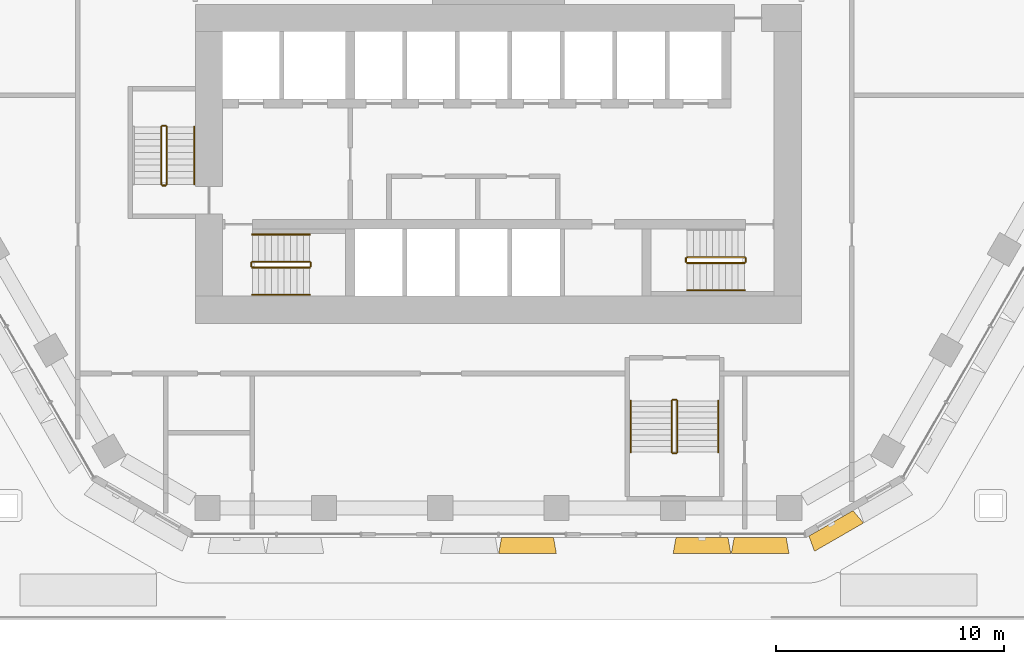
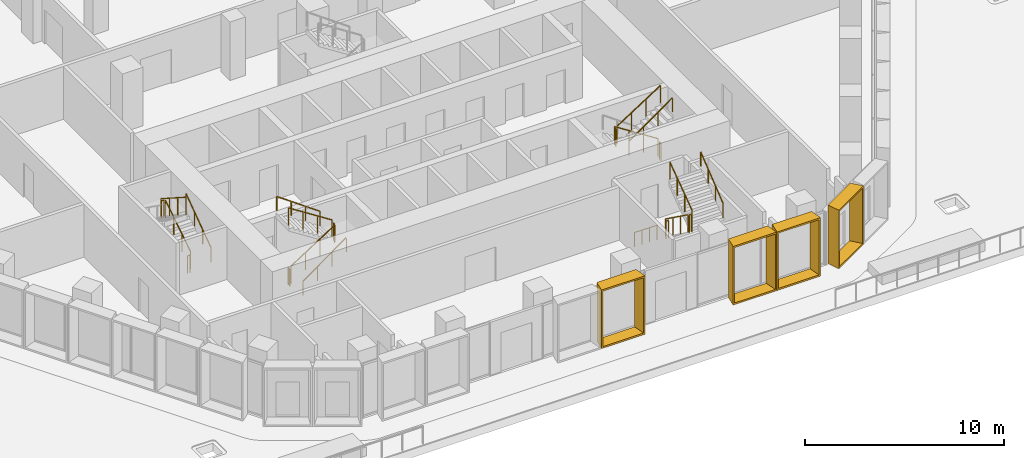
# One storey, part 34 of 38: 22 railings, 4 shading devices.
"""IFC4 building model written with IfcOpenShell, lengths in metres."""

from ifc_helpers import new_model, entity, si_unit, direction, frame, origin, origin_2d, place, context, subcontext, project, spatial, rectangle, extrude, source, transform, mapped, material, type_object, type_shapes, element, save


model = new_model("IFC4")

# Units and contexts
model_context = context("Model", 3, precision=1e-05, world=origin(), true_north=direction((0.0, 1.0)))
body_context = subcontext(model_context, "Body", "Model", "MODEL_VIEW")
ifc_project = project(units=[si_unit("LENGTHUNIT", "METRE"), si_unit("AREAUNIT", "SQUARE_METRE"), si_unit("VOLUMEUNIT", "CUBIC_METRE"), si_unit("PLANEANGLEUNIT", "RADIAN"), si_unit("MASSUNIT", "GRAM", prefix="KILO")], contexts=[model_context])

# Site, building, storey
site_placement = place(None, origin())
site = spatial("IfcSite", under=ifc_project, at=site_placement, CompositionType="ELEMENT")
building_placement = place(site_placement, origin())
building = spatial("IfcBuilding", under=site, at=building_placement, Name="Beryl Residences", CompositionType="ELEMENT")
storey_placement = place(building_placement, frame((0.0, 0.0, 9.0)))
storey = spatial("IfcBuildingStorey", under=building, at=storey_placement, Name="L02", CompositionType="ELEMENT", Elevation=9.0)

# Shading devices
ifc_material_1 = material(Name="Aluminium pale anodised", Category="aluminium")
shading_device_type_1 = type_object("IfcShadingDeviceType", Name="FR250-70A-H36 OUTER SKIN frame 700 mm deep, splay 10/10 deg, 2500 x 3600 mm cell", PredefinedType="USERDEFINED", material=ifc_material_1)
cartesian_point_1 = entity("IfcCartesianPoint", [-1.116455078125, 0.0])
cartesian_point_2 = entity("IfcCartesianPoint", [-1.03515625, 0.10009765625])
cartesian_point_3 = entity("IfcCartesianPoint", [-1.239990234375, 0.0])
cartesian_point_4 = entity("IfcCartesianPoint", [-1.15869140625, 0.10009765625])
shared_shape_1 = source(origin(), body_context, "Body", "SweptSolid", [
    entity("IfcExtrudedAreaSolidTapered", entity("IfcArbitraryProfileDefWithVoids", "AREA", None, entity("IfcPolyline", [cartesian_point_1, entity("IfcCartesianPoint", [1.116455078125, 0.0]), entity("IfcCartesianPoint", [1.116455078125, 3.60009765625]), entity("IfcCartesianPoint", [-1.116455078125, 3.60009765625]), cartesian_point_1]), [entity("IfcPolyline", [cartesian_point_2, entity("IfcCartesianPoint", [1.03515625, 0.10009765625]), entity("IfcCartesianPoint", [1.03515625, 3.5]), entity("IfcCartesianPoint", [-1.03515625, 3.5]), cartesian_point_2])]), entity("IfcAxis2Placement3D", entity("IfcCartesianPoint", [0.0, 0.0, 0.0]), entity("IfcDirection", [0.0, 1.0, 0.0]), entity("IfcDirection", [-1.0, 0.0, 0.0])), entity("IfcDirection", [0.0, 0.0, 1.0]), 0.699951171875, entity("IfcArbitraryProfileDefWithVoids", "AREA", None, entity("IfcPolyline", [cartesian_point_3, entity("IfcCartesianPoint", [1.239990234375, 0.0]), entity("IfcCartesianPoint", [1.239990234375, 3.60009765625]), entity("IfcCartesianPoint", [-1.239990234375, 3.60009765625]), cartesian_point_3]), [entity("IfcPolyline", [cartesian_point_4, entity("IfcCartesianPoint", [1.15869140625, 0.10009765625]), entity("IfcCartesianPoint", [1.15869140625, 3.5]), entity("IfcCartesianPoint", [-1.15869140625, 3.5]), cartesian_point_4])])),
])
type_shapes(shading_device_type_1, [shared_shape_1])
shading_device_placement = place(storey_placement, frame((14.593017578125, -27.77490234375, 0.0), z_axis=(0.0, 0.0, 1.0), x_axis=(-0.866025403784, -0.5, 0.0)))
element("IfcShadingDevice", 1, at=shading_device_placement, inside=storey, type_object=shading_device_type_1, Name="FR250-70A-H36 frame L02 S-SE 1", ObjectType="OUTER SKIN", PredefinedType="USERDEFINED", context=body_context, shape_type="MappedRepresentation", body=[
    mapped(shared_shape_1, transform((0.0, 0.0, 0.0))),
])
ifc_material_2 = material(Name="Aluminium pale anodised", Category="aluminium")
shading_device_type_2 = type_object("IfcShadingDeviceType", Name="FR255-70A-H36 OUTER SKIN frame 700 mm deep, splay 10/10 deg, 2550 x 3600 mm cell", PredefinedType="USERDEFINED", material=ifc_material_2)
cartesian_point_5 = entity("IfcCartesianPoint", [-1.1416015625, 0.0])
cartesian_point_6 = entity("IfcCartesianPoint", [-1.060302734375, 0.10009765625])
cartesian_point_7 = entity("IfcCartesianPoint", [-1.264892578125, 0.0])
cartesian_point_8 = entity("IfcCartesianPoint", [-1.18359375, 0.10009765625])
shared_shape_2 = source(origin(), body_context, "Body", "SweptSolid", [
    entity("IfcExtrudedAreaSolidTapered", entity("IfcArbitraryProfileDefWithVoids", "AREA", None, entity("IfcPolyline", [cartesian_point_5, entity("IfcCartesianPoint", [1.1416015625, 0.0]), entity("IfcCartesianPoint", [1.1416015625, 3.60009765625]), entity("IfcCartesianPoint", [-1.1416015625, 3.60009765625]), cartesian_point_5]), [entity("IfcPolyline", [cartesian_point_6, entity("IfcCartesianPoint", [1.060302734375, 0.10009765625]), entity("IfcCartesianPoint", [1.060302734375, 3.5]), entity("IfcCartesianPoint", [-1.060302734375, 3.5]), cartesian_point_6])]), entity("IfcAxis2Placement3D", entity("IfcCartesianPoint", [0.0, 0.0, 0.0]), entity("IfcDirection", [0.0, 1.0, 0.0]), entity("IfcDirection", [-1.0, 0.0, 0.0])), entity("IfcDirection", [0.0, 0.0, 1.0]), 0.699951171875, entity("IfcArbitraryProfileDefWithVoids", "AREA", None, entity("IfcPolyline", [cartesian_point_7, entity("IfcCartesianPoint", [1.264892578125, 0.0]), entity("IfcCartesianPoint", [1.264892578125, 3.60009765625]), entity("IfcCartesianPoint", [-1.264892578125, 3.60009765625]), cartesian_point_7]), [entity("IfcPolyline", [cartesian_point_8, entity("IfcCartesianPoint", [1.18359375, 0.10009765625]), entity("IfcCartesianPoint", [1.18359375, 3.5]), entity("IfcCartesianPoint", [-1.18359375, 3.5]), cartesian_point_8])])),
])
type_shapes(shading_device_type_2, [shared_shape_2])
for number, where, z_axis, x_axis, name in (
    (2, (1.277099609375, -28.39990234375, 0.0), (0.0, 0.0, 1.0), (-1.0, 0.0, 0.0), "FR255-70A-H36 frame L02 S 6"),
    (3, (8.93310546875, -28.39990234375, 0.0), (0.0, 0.0, 1.0), (-1.0, 0.0, 0.0), "FR255-70A-H36 frame L02 S 9"),
    (4, (11.485107421875, -28.39990234375, 0.0), (0.0, 0.0, 1.0), (-1.0, 0.0, 0.0), "FR255-70A-H36 frame L02 S 10"),
):
    element("IfcShadingDevice", number, at=place(storey_placement, frame(where, z_axis=z_axis, x_axis=x_axis)), inside=storey, type_object=shading_device_type_2, Name=name, ObjectType="OUTER SKIN", PredefinedType="USERDEFINED", context=body_context, shape_type="MappedRepresentation", body=[
        mapped(shared_shape_2, transform((0.0, 0.0, 0.0))),
    ])

# Railings
ifc_material_3 = material(Name="Stainless steel balustrade with glass infill", Category="steel")
railing_type_1 = type_object("IfcRailingType", Name="SG1 stair guard 1100 mm", PredefinedType="GUARDRAIL", material=ifc_material_3)
railing_1_placement = place(storey_placement, frame((7.60009765625, -22.39990234375, 0.179931640625)))
element("IfcRailing", 5, at=railing_1_placement, inside=storey, type_object=railing_type_1, Name="L02 PS-7 stair guard 1", PredefinedType="GUARDRAIL", context=body_context, shape_type="SweptSolid", body=[
    extrude(rectangle(XDim=0.048095703125, YDim=0.048095703125, at=origin_2d()), frame((0.0, 0.0, 1.076171875), z_axis=(0.0, -0.811514298965, 0.584332561625), x_axis=(1.0, 0.0, 0.0)), (0.0, 0.0, 1.0), 2.772705078125),
    extrude(rectangle(XDim=0.0419921875, YDim=0.0419921875, at=origin_2d()), origin(), (0.0, 0.0, 1.0), 1.052001953125),
    extrude(rectangle(XDim=0.0419921875, YDim=0.0419921875, at=origin_2d()), frame((0.0, -0.75, 0.5400390625)), (0.0, 0.0, 1.0), 1.052001953125),
    extrude(rectangle(XDim=0.0419921875, YDim=0.0419921875, at=origin_2d()), frame((0.0, -1.5, 1.080078125)), (0.0, 0.0, 1.0), 1.052001953125),
    extrude(rectangle(XDim=0.0419921875, YDim=0.0419921875, at=origin_2d()), frame((0.0, -2.25, 1.6201171875)), (0.0, 0.0, 1.0), 1.052001953125),
])
railing_2_placement = place(storey_placement, frame((7.64990234375, -24.699951171875, 1.800048828125)))
element("IfcRailing", 6, at=railing_2_placement, inside=storey, type_object=railing_type_1, Name="L02 PS-7 stair guard 2", PredefinedType="GUARDRAIL", context=body_context, shape_type="SweptSolid", body=[
    extrude(rectangle(XDim=0.048095703125, YDim=0.048095703125, at=origin_2d()), frame((0.0, 0.0, 1.076171875), z_axis=(1.0, 0.0, 0.0), x_axis=(0.0, 1.0, 0.0)), (0.0, 0.0, 1.0), 0.150146484375),
    extrude(rectangle(XDim=0.0419921875, YDim=0.0419921875, at=origin_2d()), origin(), (0.0, 0.0, 1.0), 1.052001953125),
    extrude(rectangle(XDim=0.0419921875, YDim=0.0419921875, at=origin_2d()), frame((0.150146484375, 0.0, 0.0)), (0.0, 0.0, 1.0), 1.052001953125),
])
railing_3_placement = place(storey_placement, frame((7.85009765625, -24.64990234375, 1.97998046875)))
element("IfcRailing", 7, at=railing_3_placement, inside=storey, type_object=railing_type_1, Name="L02 PS-7 stair guard 3", PredefinedType="GUARDRAIL", context=body_context, shape_type="SweptSolid", body=[
    extrude(rectangle(XDim=0.048095703125, YDim=0.048095703125, at=origin_2d()), frame((0.0, 0.0, 1.076171875), z_axis=(0.0, 0.811514298965, 0.584332561625), x_axis=(-1.0, 0.0, 0.0)), (0.0, 0.0, 1.0), 2.772705078125),
    extrude(rectangle(XDim=0.0419921875, YDim=0.0419921875, at=origin_2d()), origin(), (0.0, 0.0, 1.0), 1.052001953125),
    extrude(rectangle(XDim=0.0419921875, YDim=0.0419921875, at=origin_2d()), frame((0.0, 0.75, 0.5400390625)), (0.0, 0.0, 1.0), 1.052001953125),
    extrude(rectangle(XDim=0.0419921875, YDim=0.0419921875, at=origin_2d()), frame((0.0, 1.5, 1.080078125)), (0.0, 0.0, 1.0), 1.052001953125),
    extrude(rectangle(XDim=0.0419921875, YDim=0.0419921875, at=origin_2d()), frame((0.0, 2.25, 1.6201171875)), (0.0, 0.0, 1.0), 1.052001953125),
])
railing_4_placement = place(storey_placement, frame((7.64990234375, -22.35009765625, 0.0)))
element("IfcRailing", 8, at=railing_4_placement, inside=storey, type_object=railing_type_1, Name="L02 PS-7 stair guard 4", PredefinedType="GUARDRAIL", context=body_context, shape_type="SweptSolid", body=[
    extrude(rectangle(XDim=0.048095703125, YDim=0.048095703125, at=origin_2d()), frame((0.0, 0.0, 1.076171875), z_axis=(1.0, 0.0, 0.0), x_axis=(0.0, 1.0, 0.0)), (0.0, 0.0, 1.0), 0.150146484375),
    extrude(rectangle(XDim=0.0419921875, YDim=0.0419921875, at=origin_2d()), origin(), (0.0, 0.0, 1.0), 1.052001953125),
    extrude(rectangle(XDim=0.0419921875, YDim=0.0419921875, at=origin_2d()), frame((0.150146484375, 0.0, 0.0)), (0.0, 0.0, 1.0), 1.052001953125),
])
railing_5_placement = place(storey_placement, frame((-10.800048828125, -16.550048828125, 0.179931640625)))
element("IfcRailing", 9, at=railing_5_placement, inside=storey, type_object=railing_type_1, Name="L02 ST-1 stair guard 1", PredefinedType="GUARDRAIL", context=body_context, shape_type="SweptSolid", body=[
    extrude(rectangle(XDim=0.048095703125, YDim=0.048095703125, at=origin_2d()), frame((0.0, 0.0, 1.076171875), z_axis=(0.841162588446, 0.0, 0.540782303519), x_axis=(0.0, 1.0, 0.0)), (0.0, 0.0, 1.0), 2.995849609375),
    extrude(rectangle(XDim=0.0419921875, YDim=0.0419921875, at=origin_2d()), origin(), (0.0, 0.0, 1.0), 1.052001953125),
    extrude(rectangle(XDim=0.0419921875, YDim=0.0419921875, at=origin_2d()), frame((0.840087890625, 0.0, 0.5400390625)), (0.0, 0.0, 1.0), 1.052001953125),
    extrude(rectangle(XDim=0.0419921875, YDim=0.0419921875, at=origin_2d()), frame((1.679931640625, 0.0, 1.080078125)), (0.0, 0.0, 1.0), 1.052001953125),
    extrude(rectangle(XDim=0.0419921875, YDim=0.0419921875, at=origin_2d()), frame((2.52001953125, 0.0, 1.6201171875)), (0.0, 0.0, 1.0), 1.052001953125),
])
railing_6_placement = place(storey_placement, frame((-8.22998046875, -16.5, 1.800048828125)))
element("IfcRailing", 10, at=railing_6_placement, inside=storey, type_object=railing_type_1, Name="L02 ST-1 stair guard 2", PredefinedType="GUARDRAIL", context=body_context, shape_type="SweptSolid", body=[
    extrude(rectangle(XDim=0.048095703125, YDim=0.048095703125, at=origin_2d()), frame((0.0, 0.0, 1.076171875), z_axis=(0.0, 1.0, 0.0), x_axis=(-1.0, 0.0, 0.0)), (0.0, 0.0, 1.0), 0.14990234375),
    extrude(rectangle(XDim=0.0419921875, YDim=0.0419921875, at=origin_2d()), origin(), (0.0, 0.0, 1.0), 1.052001953125),
    extrude(rectangle(XDim=0.0419921875, YDim=0.0419921875, at=origin_2d()), frame((0.0, 0.14990234375, 0.0)), (0.0, 0.0, 1.0), 1.052001953125),
])
railing_7_placement = place(storey_placement, frame((-8.280029296875, -16.300048828125, 1.97998046875)))
element("IfcRailing", 11, at=railing_7_placement, inside=storey, type_object=railing_type_1, Name="L02 ST-1 stair guard 3", PredefinedType="GUARDRAIL", context=body_context, shape_type="SweptSolid", body=[
    extrude(rectangle(XDim=0.048095703125, YDim=0.048095703125, at=origin_2d()), frame((0.0, 0.0, 1.076171875), z_axis=(-0.841162588446, 0.0, 0.540782303519), x_axis=(0.0, -1.0, 0.0)), (0.0, 0.0, 1.0), 2.995849609375),
    extrude(rectangle(XDim=0.0419921875, YDim=0.0419921875, at=origin_2d()), origin(), (0.0, 0.0, 1.0), 1.052001953125),
    extrude(rectangle(XDim=0.0419921875, YDim=0.0419921875, at=origin_2d()), frame((-0.840087890625, 0.0, 0.5400390625)), (0.0, 0.0, 1.0), 1.052001953125),
    extrude(rectangle(XDim=0.0419921875, YDim=0.0419921875, at=origin_2d()), frame((-1.679931640625, 0.0, 1.080078125)), (0.0, 0.0, 1.0), 1.052001953125),
    extrude(rectangle(XDim=0.0419921875, YDim=0.0419921875, at=origin_2d()), frame((-2.52001953125, 0.0, 1.6201171875)), (0.0, 0.0, 1.0), 1.052001953125),
])
railing_8_placement = place(storey_placement, frame((-10.85009765625, -16.5, 0.0)))
element("IfcRailing", 12, at=railing_8_placement, inside=storey, type_object=railing_type_1, Name="L02 ST-1 stair guard 4", PredefinedType="GUARDRAIL", context=body_context, shape_type="SweptSolid", body=[
    extrude(rectangle(XDim=0.048095703125, YDim=0.048095703125, at=origin_2d()), frame((0.0, 0.0, 1.076171875), z_axis=(0.0, 1.0, 0.0), x_axis=(-1.0, 0.0, 0.0)), (0.0, 0.0, 1.0), 0.14990234375),
    extrude(rectangle(XDim=0.0419921875, YDim=0.0419921875, at=origin_2d()), origin(), (0.0, 0.0, 1.0), 1.052001953125),
    extrude(rectangle(XDim=0.0419921875, YDim=0.0419921875, at=origin_2d()), frame((0.0, 0.14990234375, 0.0)), (0.0, 0.0, 1.0), 1.052001953125),
])
railing_9_placement = place(storey_placement, frame((-14.550048828125, -12.89990234375, 0.179931640625)))
element("IfcRailing", 13, at=railing_9_placement, inside=storey, type_object=railing_type_1, Name="L02 ST-2 stair guard 1", PredefinedType="GUARDRAIL", context=body_context, shape_type="SweptSolid", body=[
    extrude(rectangle(XDim=0.048095703125, YDim=0.048095703125, at=origin_2d()), frame((0.0, 0.0, 1.076171875), z_axis=(0.0, 0.841162588446, 0.540782303519), x_axis=(-1.0, 0.0, 0.0)), (0.0, 0.0, 1.0), 2.995849609375),
    extrude(rectangle(XDim=0.0419921875, YDim=0.0419921875, at=origin_2d()), origin(), (0.0, 0.0, 1.0), 1.052001953125),
    extrude(rectangle(XDim=0.0419921875, YDim=0.0419921875, at=origin_2d()), frame((0.0, 0.840087890625, 0.5400390625)), (0.0, 0.0, 1.0), 1.052001953125),
    extrude(rectangle(XDim=0.0419921875, YDim=0.0419921875, at=origin_2d()), frame((0.0, 1.679931640625, 1.080078125)), (0.0, 0.0, 1.0), 1.052001953125),
    extrude(rectangle(XDim=0.0419921875, YDim=0.0419921875, at=origin_2d()), frame((0.0, 2.52001953125, 1.6201171875)), (0.0, 0.0, 1.0), 1.052001953125),
])
railing_10_placement = place(storey_placement, frame((-14.60009765625, -10.330078125, 1.800048828125)))
element("IfcRailing", 14, at=railing_10_placement, inside=storey, type_object=railing_type_1, Name="L02 ST-2 stair guard 2", PredefinedType="GUARDRAIL", context=body_context, shape_type="SweptSolid", body=[
    extrude(rectangle(XDim=0.048095703125, YDim=0.048095703125, at=origin_2d()), frame((0.0, 0.0, 1.076171875), z_axis=(-1.0, 0.0, 0.0), x_axis=(0.0, -1.0, 0.0)), (0.0, 0.0, 1.0), 0.14990234375),
    extrude(rectangle(XDim=0.0419921875, YDim=0.0419921875, at=origin_2d()), origin(), (0.0, 0.0, 1.0), 1.052001953125),
    extrude(rectangle(XDim=0.0419921875, YDim=0.0419921875, at=origin_2d()), frame((-0.14990234375, 0.0, 0.0)), (0.0, 0.0, 1.0), 1.052001953125),
])
railing_11_placement = place(storey_placement, frame((-14.800048828125, -10.3798828125, 1.97998046875)))
element("IfcRailing", 15, at=railing_11_placement, inside=storey, type_object=railing_type_1, Name="L02 ST-2 stair guard 3", PredefinedType="GUARDRAIL", context=body_context, shape_type="SweptSolid", body=[
    extrude(rectangle(XDim=0.048095703125, YDim=0.048095703125, at=origin_2d()), frame((0.0, 0.0, 1.076171875), z_axis=(0.0, -0.841162588446, 0.540782303519), x_axis=(1.0, 0.0, 0.0)), (0.0, 0.0, 1.0), 2.995849609375),
    extrude(rectangle(XDim=0.0419921875, YDim=0.0419921875, at=origin_2d()), origin(), (0.0, 0.0, 1.0), 1.052001953125),
    extrude(rectangle(XDim=0.0419921875, YDim=0.0419921875, at=origin_2d()), frame((0.0, -0.840087890625, 0.5400390625)), (0.0, 0.0, 1.0), 1.052001953125),
    extrude(rectangle(XDim=0.0419921875, YDim=0.0419921875, at=origin_2d()), frame((0.0, -1.679931640625, 1.080078125)), (0.0, 0.0, 1.0), 1.052001953125),
    extrude(rectangle(XDim=0.0419921875, YDim=0.0419921875, at=origin_2d()), frame((0.0, -2.52001953125, 1.6201171875)), (0.0, 0.0, 1.0), 1.052001953125),
])
railing_12_placement = place(storey_placement, frame((-14.60009765625, -12.949951171875, 0.0)))
element("IfcRailing", 16, at=railing_12_placement, inside=storey, type_object=railing_type_1, Name="L02 ST-2 stair guard 4", PredefinedType="GUARDRAIL", context=body_context, shape_type="SweptSolid", body=[
    extrude(rectangle(XDim=0.048095703125, YDim=0.048095703125, at=origin_2d()), frame((0.0, 0.0, 1.076171875), z_axis=(-1.0, 0.0, 0.0), x_axis=(0.0, -1.0, 0.0)), (0.0, 0.0, 1.0), 0.14990234375),
    extrude(rectangle(XDim=0.0419921875, YDim=0.0419921875, at=origin_2d()), origin(), (0.0, 0.0, 1.0), 1.052001953125),
    extrude(rectangle(XDim=0.0419921875, YDim=0.0419921875, at=origin_2d()), frame((-0.14990234375, 0.0, 0.0)), (0.0, 0.0, 1.0), 1.052001953125),
])
railing_13_placement = place(storey_placement, frame((10.800048828125, -16.10009765625, 0.179931640625)))
element("IfcRailing", 17, at=railing_13_placement, inside=storey, type_object=railing_type_1, Name="L02 ST-3 stair guard 1", PredefinedType="GUARDRAIL", context=body_context, shape_type="SweptSolid", body=[
    extrude(rectangle(XDim=0.048095703125, YDim=0.048095703125, at=origin_2d()), frame((0.0, 0.0, 1.076171875), z_axis=(-0.841162588446, 0.0, 0.540782303519), x_axis=(0.0, -1.0, 0.0)), (0.0, 0.0, 1.0), 2.995849609375),
    extrude(rectangle(XDim=0.0419921875, YDim=0.0419921875, at=origin_2d()), origin(), (0.0, 0.0, 1.0), 1.052001953125),
    extrude(rectangle(XDim=0.0419921875, YDim=0.0419921875, at=origin_2d()), frame((-0.840087890625, 0.0, 0.5400390625)), (0.0, 0.0, 1.0), 1.052001953125),
    extrude(rectangle(XDim=0.0419921875, YDim=0.0419921875, at=origin_2d()), frame((-1.679931640625, 0.0, 1.080078125)), (0.0, 0.0, 1.0), 1.052001953125),
    extrude(rectangle(XDim=0.0419921875, YDim=0.0419921875, at=origin_2d()), frame((-2.52001953125, 0.0, 1.6201171875)), (0.0, 0.0, 1.0), 1.052001953125),
])
railing_14_placement = place(storey_placement, frame((8.22998046875, -16.14990234375, 1.800048828125)))
element("IfcRailing", 18, at=railing_14_placement, inside=storey, type_object=railing_type_1, Name="L02 ST-3 stair guard 2", PredefinedType="GUARDRAIL", context=body_context, shape_type="SweptSolid", body=[
    extrude(rectangle(XDim=0.048095703125, YDim=0.048095703125, at=origin_2d()), frame((0.0, 0.0, 1.076171875), z_axis=(0.0, -1.0, 0.0), x_axis=(1.0, 0.0, 0.0)), (0.0, 0.0, 1.0), 0.150146484375),
    extrude(rectangle(XDim=0.0419921875, YDim=0.0419921875, at=origin_2d()), origin(), (0.0, 0.0, 1.0), 1.052001953125),
    extrude(rectangle(XDim=0.0419921875, YDim=0.0419921875, at=origin_2d()), frame((0.0, -0.150146484375, 0.0)), (0.0, 0.0, 1.0), 1.052001953125),
])
railing_15_placement = place(storey_placement, frame((8.280029296875, -16.35009765625, 1.97998046875)))
element("IfcRailing", 19, at=railing_15_placement, inside=storey, type_object=railing_type_1, Name="L02 ST-3 stair guard 3", PredefinedType="GUARDRAIL", context=body_context, shape_type="SweptSolid", body=[
    extrude(rectangle(XDim=0.048095703125, YDim=0.048095703125, at=origin_2d()), frame((0.0, 0.0, 1.076171875), z_axis=(0.841162588446, 0.0, 0.540782303519), x_axis=(0.0, 1.0, 0.0)), (0.0, 0.0, 1.0), 2.995849609375),
    extrude(rectangle(XDim=0.0419921875, YDim=0.0419921875, at=origin_2d()), origin(), (0.0, 0.0, 1.0), 1.052001953125),
    extrude(rectangle(XDim=0.0419921875, YDim=0.0419921875, at=origin_2d()), frame((0.840087890625, 0.0, 0.5400390625)), (0.0, 0.0, 1.0), 1.052001953125),
    extrude(rectangle(XDim=0.0419921875, YDim=0.0419921875, at=origin_2d()), frame((1.679931640625, 0.0, 1.080078125)), (0.0, 0.0, 1.0), 1.052001953125),
    extrude(rectangle(XDim=0.0419921875, YDim=0.0419921875, at=origin_2d()), frame((2.52001953125, 0.0, 1.6201171875)), (0.0, 0.0, 1.0), 1.052001953125),
])
railing_16_placement = place(storey_placement, frame((10.85009765625, -16.14990234375, 0.0)))
element("IfcRailing", 20, at=railing_16_placement, inside=storey, type_object=railing_type_1, Name="L02 ST-3 stair guard 4", PredefinedType="GUARDRAIL", context=body_context, shape_type="SweptSolid", body=[
    extrude(rectangle(XDim=0.048095703125, YDim=0.048095703125, at=origin_2d()), frame((0.0, 0.0, 1.076171875), z_axis=(0.0, -1.0, 0.0), x_axis=(1.0, 0.0, 0.0)), (0.0, 0.0, 1.0), 0.150146484375),
    extrude(rectangle(XDim=0.0419921875, YDim=0.0419921875, at=origin_2d()), origin(), (0.0, 0.0, 1.0), 1.052001953125),
    extrude(rectangle(XDim=0.0419921875, YDim=0.0419921875, at=origin_2d()), frame((0.0, -0.150146484375, 0.0)), (0.0, 0.0, 1.0), 1.052001953125),
])
ifc_material_4 = material(Name="Stainless steel handrail", Category="steel")
railing_type_2 = type_object("IfcRailingType", Name="SRL1 stair handrail 900 mm", PredefinedType="HANDRAIL", material=ifc_material_4)
railing_17_placement = place(storey_placement, frame((5.800048828125, -22.39990234375, 0.179931640625)))
element("IfcRailing", 21, at=railing_17_placement, inside=storey, type_object=railing_type_2, Name="L02 PS-7 stair handrail 1", PredefinedType="HANDRAIL", context=body_context, shape_type="SweptSolid", body=[
    extrude(rectangle(XDim=0.048095703125, YDim=0.048095703125, at=origin_2d()), frame((0.0, 0.0, 0.8759765625), z_axis=(0.0, -0.780860543151, 0.624705380279), x_axis=(1.0, 0.0, 0.0)), (0.0, 0.0, 1.0), 2.88134765625),
    extrude(rectangle(XDim=0.0419921875, YDim=0.0419921875, at=origin_2d()), origin(), (0.0, 0.0, 1.0), 0.851806640625),
    extrude(rectangle(XDim=0.0419921875, YDim=0.0419921875, at=origin_2d()), frame((0.0, -0.75, 0.60009765625)), (0.0, 0.0, 1.0), 0.851806640625),
    extrude(rectangle(XDim=0.0419921875, YDim=0.0419921875, at=origin_2d()), frame((0.0, -1.5, 1.199951171875)), (0.0, 0.0, 1.0), 0.851806640625),
    extrude(rectangle(XDim=0.0419921875, YDim=0.0419921875, at=origin_2d()), frame((0.0, -2.25, 1.800048828125)), (0.0, 0.0, 1.0), 0.851806640625),
])
railing_18_placement = place(storey_placement, frame((9.64990234375, -24.64990234375, 1.97998046875)))
element("IfcRailing", 22, at=railing_18_placement, inside=storey, type_object=railing_type_2, Name="L02 PS-7 stair handrail 2", PredefinedType="HANDRAIL", context=body_context, shape_type="SweptSolid", body=[
    extrude(rectangle(XDim=0.048095703125, YDim=0.048095703125, at=origin_2d()), frame((0.0, 0.0, 0.8759765625), z_axis=(0.0, 0.780860543151, 0.624705380279), x_axis=(-1.0, 0.0, 0.0)), (0.0, 0.0, 1.0), 2.88134765625),
    extrude(rectangle(XDim=0.0419921875, YDim=0.0419921875, at=origin_2d()), origin(), (0.0, 0.0, 1.0), 0.851806640625),
    extrude(rectangle(XDim=0.0419921875, YDim=0.0419921875, at=origin_2d()), frame((0.0, 0.75, 0.60009765625)), (0.0, 0.0, 1.0), 0.851806640625),
    extrude(rectangle(XDim=0.0419921875, YDim=0.0419921875, at=origin_2d()), frame((0.0, 1.5, 1.199951171875)), (0.0, 0.0, 1.0), 0.851806640625),
    extrude(rectangle(XDim=0.0419921875, YDim=0.0419921875, at=origin_2d()), frame((0.0, 2.25, 1.800048828125)), (0.0, 0.0, 1.0), 0.851806640625),
])
railing_19_placement = place(storey_placement, frame((-10.800048828125, -17.75, 0.179931640625)))
element("IfcRailing", 23, at=railing_19_placement, inside=storey, type_object=railing_type_2, Name="L02 ST-1 stair handrail 1", PredefinedType="HANDRAIL", context=body_context, shape_type="SweptSolid", body=[
    extrude(rectangle(XDim=0.048095703125, YDim=0.048095703125, at=origin_2d()), frame((0.0, 0.0, 0.8759765625), z_axis=(0.813728144527, 0.0, 0.581245650998), x_axis=(0.0, 1.0, 0.0)), (0.0, 0.0, 1.0), 3.096923828125),
    extrude(rectangle(XDim=0.0419921875, YDim=0.0419921875, at=origin_2d()), origin(), (0.0, 0.0, 1.0), 0.851806640625),
    extrude(rectangle(XDim=0.0419921875, YDim=0.0419921875, at=origin_2d()), frame((0.840087890625, 0.0, 0.60009765625)), (0.0, 0.0, 1.0), 0.851806640625),
    extrude(rectangle(XDim=0.0419921875, YDim=0.0419921875, at=origin_2d()), frame((1.679931640625, 0.0, 1.199951171875)), (0.0, 0.0, 1.0), 0.851806640625),
    extrude(rectangle(XDim=0.0419921875, YDim=0.0419921875, at=origin_2d()), frame((2.52001953125, 0.0, 1.800048828125)), (0.0, 0.0, 1.0), 0.851806640625),
])
railing_20_placement = place(storey_placement, frame((-8.280029296875, -15.10009765625, 1.97998046875)))
element("IfcRailing", 24, at=railing_20_placement, inside=storey, type_object=railing_type_2, Name="L02 ST-1 stair handrail 2", PredefinedType="HANDRAIL", context=body_context, shape_type="SweptSolid", body=[
    extrude(rectangle(XDim=0.048095703125, YDim=0.048095703125, at=origin_2d()), frame((0.0, 0.0, 0.8759765625), z_axis=(-0.813728144527, 0.0, 0.581245650998), x_axis=(0.0, -1.0, 0.0)), (0.0, 0.0, 1.0), 3.096923828125),
    extrude(rectangle(XDim=0.0419921875, YDim=0.0419921875, at=origin_2d()), origin(), (0.0, 0.0, 1.0), 0.851806640625),
    extrude(rectangle(XDim=0.0419921875, YDim=0.0419921875, at=origin_2d()), frame((-0.840087890625, 0.0, 0.60009765625)), (0.0, 0.0, 1.0), 0.851806640625),
    extrude(rectangle(XDim=0.0419921875, YDim=0.0419921875, at=origin_2d()), frame((-1.679931640625, 0.0, 1.199951171875)), (0.0, 0.0, 1.0), 0.851806640625),
    extrude(rectangle(XDim=0.0419921875, YDim=0.0419921875, at=origin_2d()), frame((-2.52001953125, 0.0, 1.800048828125)), (0.0, 0.0, 1.0), 0.851806640625),
])
railing_21_placement = place(storey_placement, frame((-13.35009765625, -12.89990234375, 0.179931640625)))
element("IfcRailing", 25, at=railing_21_placement, inside=storey, type_object=railing_type_2, Name="L02 ST-2 stair handrail 1", PredefinedType="HANDRAIL", context=body_context, shape_type="SweptSolid", body=[
    extrude(rectangle(XDim=0.048095703125, YDim=0.048095703125, at=origin_2d()), frame((0.0, 0.0, 0.8759765625), z_axis=(0.0, 0.813728144527, 0.581245650998), x_axis=(-1.0, 0.0, 0.0)), (0.0, 0.0, 1.0), 3.096923828125),
    extrude(rectangle(XDim=0.0419921875, YDim=0.0419921875, at=origin_2d()), origin(), (0.0, 0.0, 1.0), 0.851806640625),
    extrude(rectangle(XDim=0.0419921875, YDim=0.0419921875, at=origin_2d()), frame((0.0, 0.840087890625, 0.60009765625)), (0.0, 0.0, 1.0), 0.851806640625),
    extrude(rectangle(XDim=0.0419921875, YDim=0.0419921875, at=origin_2d()), frame((0.0, 1.679931640625, 1.199951171875)), (0.0, 0.0, 1.0), 0.851806640625),
    extrude(rectangle(XDim=0.0419921875, YDim=0.0419921875, at=origin_2d()), frame((0.0, 2.52001953125, 1.800048828125)), (0.0, 0.0, 1.0), 0.851806640625),
])
railing_22_placement = place(storey_placement, frame((8.280029296875, -17.550048828125, 1.97998046875)))
element("IfcRailing", 26, at=railing_22_placement, inside=storey, type_object=railing_type_2, Name="L02 ST-3 stair handrail 2", PredefinedType="HANDRAIL", context=body_context, shape_type="SweptSolid", body=[
    extrude(rectangle(XDim=0.048095703125, YDim=0.048095703125, at=origin_2d()), frame((0.0, 0.0, 0.8759765625), z_axis=(0.813728144527, 0.0, 0.581245650998), x_axis=(0.0, 1.0, 0.0)), (0.0, 0.0, 1.0), 3.096923828125),
    extrude(rectangle(XDim=0.0419921875, YDim=0.0419921875, at=origin_2d()), origin(), (0.0, 0.0, 1.0), 0.851806640625),
    extrude(rectangle(XDim=0.0419921875, YDim=0.0419921875, at=origin_2d()), frame((0.840087890625, 0.0, 0.60009765625)), (0.0, 0.0, 1.0), 0.851806640625),
    extrude(rectangle(XDim=0.0419921875, YDim=0.0419921875, at=origin_2d()), frame((1.679931640625, 0.0, 1.199951171875)), (0.0, 0.0, 1.0), 0.851806640625),
    extrude(rectangle(XDim=0.0419921875, YDim=0.0419921875, at=origin_2d()), frame((2.52001953125, 0.0, 1.800048828125)), (0.0, 0.0, 1.0), 0.851806640625),
])

save(model, "model.ifc")
